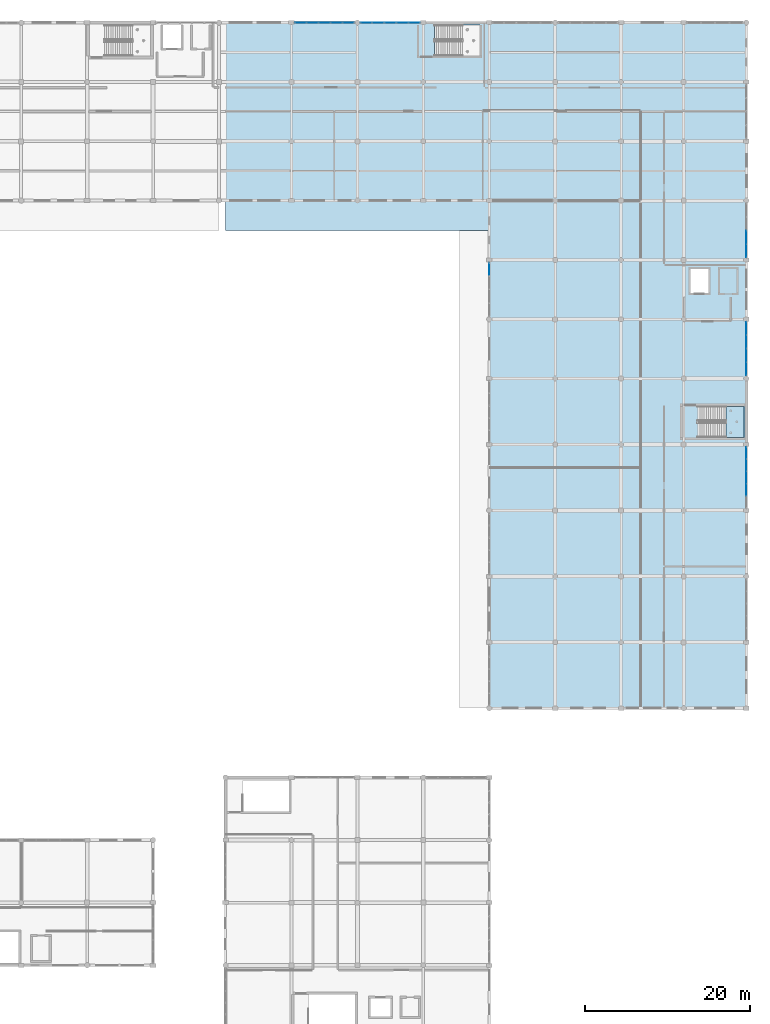
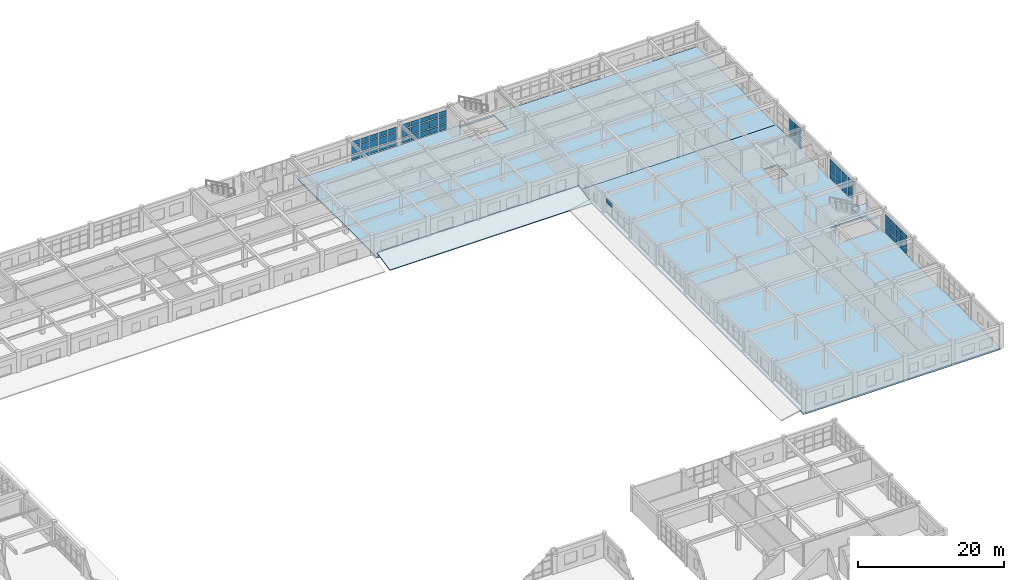
# One storey, part 99 of 121: 61 plates, 4 slabs, 7 elements without a shape of their own.
"""IFC4 building model written with IfcOpenShell, lengths in metres."""

import ifcopenshell
import ifcopenshell.guid

model = None  # the IFC model being written
_history = None  # IfcOwnerHistory: only IFC2X3 demands one
_inside = {}  # id of a spatial element -> (the spatial element, [elements in it])
_under = {}  # id of a project, library or spatial element -> (it, [spatial elements below it])
_declared = {}  # id of a project -> (the project, [libraries it declares])
_typed = {}  # id of a type object -> (the type object, [elements of that type])
_made_of = {}  # id of a material, layer set ... -> (it, [elements and type objects made of it])


def new_model(schema):
    """Start an empty IFC model of exactly this schema.

    Asked for "IFC4X3", IfcOpenShell would pick the latest addendum, in which some entities
    have other attributes; the version numbers below select the first issue.
    IFC2X3 requires an IfcOwnerHistory on every rooted entity: one is made here for all.
    """
    global model, _history
    if schema == "IFC4X3":
        model = ifcopenshell.file(schema_version=(4, 3, 0, 0))
    else:
        model = ifcopenshell.file(schema=schema)
    _inside.clear()
    _under.clear()
    _declared.clear()
    _typed.clear()
    _made_of.clear()
    _history = None
    if model.schema == "IFC2X3":
        org = make("IfcOrganization", Name="unknown")
        user = make(
            "IfcPersonAndOrganization",
            ThePerson=make("IfcPerson", FamilyName="unknown"),
            TheOrganization=org,
        )
        app = make(
            "IfcApplication",
            ApplicationDeveloper=org,
            Version="unknown",
            ApplicationFullName="unknown",
            ApplicationIdentifier="unknown",
        )
        _history = make(
            "IfcOwnerHistory",
            OwningUser=user,
            OwningApplication=app,
            ChangeAction="ADDED",
            CreationDate=0,
        )
    return model


def make(cls, **values):
    """One entity of the class cls with the attributes given. An attribute that is None is left unset."""
    return model.create_entity(
        cls, **{name: value for name, value in values.items() if value is not None}
    )


def rooted(cls, **values):
    """An entity with a GlobalId (a new one), such as an element, a storey or a relation."""
    return make(cls, GlobalId=ifcopenshell.guid.new(), OwnerHistory=_history, **values)


def si_unit(unit_type, name, prefix=None):
    """IfcSIUnit, for example si_unit("LENGTHUNIT", "METRE", prefix="MILLI")."""
    return make("IfcSIUnit", UnitType=unit_type, Prefix=prefix, Name=name)


def assignment(units):
    """IfcUnitAssignment: the units of a project."""
    return None if units is None else make("IfcUnitAssignment", Units=units)


def point(xyz):
    """IfcCartesianPoint."""
    return None if xyz is None else make("IfcCartesianPoint", Coordinates=xyz)


def direction(xyz):
    """IfcDirection."""
    return None if xyz is None else make("IfcDirection", DirectionRatios=xyz)


def frame(location, z_axis=None, x_axis=None):
    """IfcAxis2Placement3D, a coordinate frame: its origin and axes. An axis left out is left unset."""
    return make(
        "IfcAxis2Placement3D",
        Location=point(location),
        Axis=direction(z_axis),
        RefDirection=direction(x_axis),
    )


def frame_2d(location, x_axis=None):
    """IfcAxis2Placement2D, a coordinate frame in the plane: its origin and x axis."""
    return make(
        "IfcAxis2Placement2D", Location=point(location), RefDirection=direction(x_axis)
    )


def origin():
    """The frame at (0, 0, 0) with its axes left unset."""
    return frame((0.0, 0.0, 0.0))


def origin_2d():
    """The frame at (0, 0) in the plane with its x axis left unset."""
    return frame_2d((0.0, 0.0))


def place(relative_to, where):
    """IfcLocalPlacement: puts the frame where relative to a parent placement (None: the world)."""
    return make(
        "IfcLocalPlacement", PlacementRelTo=relative_to, RelativePlacement=where
    )


def context(
    kind, dimensions, precision=None, world=None, true_north=None, identifier=None
):
    """IfcGeometricRepresentationContext, for example the 3D "Model" context."""
    return make(
        "IfcGeometricRepresentationContext",
        ContextIdentifier=identifier,
        ContextType=kind,
        CoordinateSpaceDimension=dimensions,
        Precision=precision,
        WorldCoordinateSystem=world,
        TrueNorth=true_north,
    )


def subcontext(parent, identifier, kind, view, scale=None):
    """IfcGeometricRepresentationSubContext, for example "Body" below "Model"."""
    return make(
        "IfcGeometricRepresentationSubContext",
        ContextIdentifier=identifier,
        ContextType=kind,
        ParentContext=parent,
        TargetScale=scale,
        TargetView=view,
    )


def project(units=None, contexts=None):
    """IfcProject with its units and contexts."""
    return rooted(
        "IfcProject",
        Name="project",
        RepresentationContexts=contexts,
        UnitsInContext=assignment(units),
    )


def spatial(cls, under=None, at=None, **own):
    """A site, building, storey or space (cls), placed at a placement, below another one or the project."""
    s = rooted(cls, ObjectPlacement=at, **own)
    if under is not None:
        _under.setdefault(under.id(), (under, []))[1].append(s)
    return s


def polyline(points):
    """IfcPolyline through the points."""
    return make("IfcPolyline", Points=[point(p) for p in points])


def profile(cls, at=None, kind="AREA", **sizes):
    """A parametric profile (cls). Its sizes go by their IFC names, for example OverallWidth=200.0."""
    return make(cls, ProfileType=kind, Position=at, **sizes)


def rectangle(**sizes):
    """IfcRectangleProfileDef."""
    return profile("IfcRectangleProfileDef", **sizes)


def outline(outer, holes=None, kind="AREA"):
    """IfcArbitraryClosedProfileDef: a profile drawn as a closed curve; with holes, ...WithVoids."""
    if holes is None:
        return make("IfcArbitraryClosedProfileDef", ProfileType=kind, OuterCurve=outer)
    return make(
        "IfcArbitraryProfileDefWithVoids",
        ProfileType=kind,
        OuterCurve=outer,
        InnerCurves=holes,
    )


def extrude(swept, where, along, depth):
    """IfcExtrudedAreaSolid: the profile swept, set in the frame where, extruded along a direction by depth."""
    return make(
        "IfcExtrudedAreaSolid",
        SweptArea=swept,
        Position=where,
        ExtrudedDirection=direction(along),
        Depth=depth,
    )


def shape(context_of_items, identifier, shape_type, items):
    """IfcShapeRepresentation: the items that make up one representation, for example the "Body"."""
    return make(
        "IfcShapeRepresentation",
        ContextOfItems=context_of_items,
        RepresentationIdentifier=identifier,
        RepresentationType=shape_type,
        Items=items,
    )


def material(Name=None, Category=None):
    """IfcMaterial."""
    return make("IfcMaterial", Name=Name, Category=Category)


def layer(
    of_material, thickness, ventilated=None, Name=None, Category=None, Priority=None
):
    """IfcMaterialLayer: one layer of a wall or slab, of a material (None: an air gap)."""
    return make(
        "IfcMaterialLayer",
        Material=of_material,
        LayerThickness=thickness,
        IsVentilated=ventilated,
        Name=Name,
        Category=Category,
        Priority=Priority,
    )


def layer_set(layers, Name=None):
    """IfcMaterialLayerSet."""
    return make("IfcMaterialLayerSet", MaterialLayers=layers, LayerSetName=Name)


def made_of(thing, what):
    """Note that an element or type object is made of a material, layer set ...; save() writes the relation."""
    if what is not None:
        _made_of.setdefault(what.id(), (what, []))[1].append(thing)
    return thing


def type_object(cls, material=None, **own):
    """A type object (cls), such as IfcWallType, which elements share."""
    return made_of(rooted(cls, **own), material)


def element(
    cls,
    number,
    at=None,
    inside=None,
    cuts=None,
    type_object=None,
    material=None,
    context=None,
    identifier="Body",
    shape_type=None,
    held_by="IfcProductDefinitionShape",
    body=None,
    shapes=None,
    **own,
):
    """One element of the class cls, such as IfcWall. Its Tag is "e" and its number.

    at: its placement. inside: the storey or other place that contains it. cuts: it is an
    opening in that element (IfcRelVoidsElement). A single representation is given by context,
    identifier, shape_type and body (its items); several are given by shapes. held_by: the class
    of the entity that holds the representations. save() writes the other relations.
    """
    e = rooted(cls, Tag="e%d" % number, ObjectPlacement=at, **own)
    if body is not None:
        shapes = [shape(context, identifier, shape_type, body)]
    if shapes is not None:
        e.Representation = make(held_by, Representations=shapes)
    if inside is not None:
        _inside.setdefault(inside.id(), (inside, []))[1].append(e)
    if cuts is not None:
        rooted(
            "IfcRelVoidsElement", RelatingBuildingElement=cuts, RelatedOpeningElement=e
        )
    if type_object is not None:
        _typed.setdefault(type_object.id(), (type_object, []))[1].append(e)
    return made_of(e, material)


def aggregate(whole, parts):
    """IfcRelAggregates: a whole, such as a stair, and the parts it consists of."""
    return rooted("IfcRelAggregates", RelatingObject=whole, RelatedObjects=parts)


def save(model, path):
    """Write the relations noted so far, then the file.

    IfcRelAggregates (storeys below a building ...), IfcRelContainedInSpatialStructure (elements
    in a storey), IfcRelDefinesByType, IfcRelAssociatesMaterial and IfcRelDeclares: one each for
    every whole, place, type object, material and project.
    """
    for whole, parts in _under.values():
        aggregate(whole, parts)
    for where, things in _inside.values():
        rooted(
            "IfcRelContainedInSpatialStructure",
            RelatedElements=things,
            RelatingStructure=where,
        )
    for kind, things in _typed.values():
        rooted("IfcRelDefinesByType", RelatedObjects=things, RelatingType=kind)
    for what, things in _made_of.values():
        rooted("IfcRelAssociatesMaterial", RelatedObjects=things, RelatingMaterial=what)
    for by, libraries in _declared.values():
        rooted("IfcRelDeclares", RelatingContext=by, RelatedDefinitions=libraries)
    model.write(path)


model = new_model("IFC4")

# Units and contexts
model_context = context("Model", 3, precision=1e-05, world=origin(), true_north=direction((0.0, 1.0)))
body_context = subcontext(model_context, "Body", "Model", "MODEL_VIEW")
ifc_project = project(units=[si_unit("LENGTHUNIT", "METRE"), si_unit("AREAUNIT", "SQUARE_METRE"), si_unit("VOLUMEUNIT", "CUBIC_METRE"), si_unit("PLANEANGLEUNIT", "RADIAN"), si_unit("MASSUNIT", "GRAM", prefix="KILO")], contexts=[model_context])

# Site, building, storey
site_placement = place(None, origin())
site = spatial("IfcSite", under=ifc_project, at=site_placement, CompositionType="ELEMENT")
building_placement = place(site_placement, origin())
building = spatial("IfcBuilding", under=site, at=building_placement, Name="Kharva Crest Polytechnic", CompositionType="ELEMENT")
storey_placement = place(building_placement, frame((0.0, 0.0, 13.199951171875)))
storey = spatial("IfcBuildingStorey", under=building, at=storey_placement, Name="L03", CompositionType="ELEMENT", Elevation=13.199951171875)

# Curtain wall, plate
ifc_material_1 = material(Name="Tempered insulated glass", Category="glass")
curtain_wall_type_1 = type_object("IfcCurtainWallType", Name="CW-SYS-COURT", PredefinedType="USERDEFINED", material=ifc_material_1)
curtain_wall_1_placement = place(storey_placement, origin())
curtain_wall_1 = element("IfcCurtainWall", 1, at=curtain_wall_1_placement, inside=storey, type_object=curtain_wall_type_1, Name="L03 Glazed Curtain Wall CW-145", ObjectType="CURTAIN WALL", PredefinedType="USERDEFINED")
ifc_layer_1 = layer(ifc_material_1, 0.02392578125, Name="Tempered insulated glass")
ifc_layer_set_1 = layer_set([ifc_layer_1], Name="Tempered insulated glass")
plate_type_1 = type_object("IfcPlateType", Name="CWP-GLZ-24", PredefinedType="CURTAIN_PANEL", material=ifc_layer_set_1)
plate_1_placement = place(storey_placement, frame((152.800048828125, 92.097412109375, 2.510009765625), z_axis=(0.0, 0.0, 1.0), x_axis=(0.0, -1.0, 0.0)))
plate_1 = element("IfcPlate", 2, at=plate_1_placement, type_object=plate_type_1, Name="CW-145 panel 1.3", PredefinedType="CURTAIN_PANEL", context=body_context, shape_type="SweptSolid", body=[
    extrude(rectangle(XDim=1.534912109375, YDim=0.02392578125, at=origin_2d()), origin(), (0.0, 0.0, 1.0), 0.7099609375),
])
aggregate(curtain_wall_1, [plate_1])

# Curtain wall, plates
curtain_wall_2_placement = place(storey_placement, origin())
curtain_wall_2 = element("IfcCurtainWall", 3, at=curtain_wall_2_placement, inside=storey, type_object=curtain_wall_type_1, Name="L03 Glazed Curtain Wall CW-150", ObjectType="CURTAIN WALL", PredefinedType="USERDEFINED")
plate_2_placement = place(storey_placement, frame((184.0, 65.302001953125, 0.119873046875), z_axis=(0.0, 0.0, 1.0), x_axis=(0.0, 1.0, 0.0)))
plate_2 = element("IfcPlate", 4, at=plate_2_placement, type_object=plate_type_1, Name="CW-150 panel 2.1", PredefinedType="CURTAIN_PANEL", context=body_context, shape_type="SweptSolid", body=[
    extrude(rectangle(XDim=1.41796875, YDim=0.02392578125, at=origin_2d()), origin(), (0.0, 0.0, 1.0), 0.8701171875),
])
plate_3_placement = place(storey_placement, frame((184.0, 65.302001953125, 1.10986328125), z_axis=(0.0, 0.0, 1.0), x_axis=(0.0, 1.0, 0.0)))
plate_3 = element("IfcPlate", 5, at=plate_3_placement, type_object=plate_type_1, Name="CW-150 panel 2.2", PredefinedType="CURTAIN_PANEL", context=body_context, shape_type="SweptSolid", body=[
    extrude(rectangle(XDim=1.41796875, YDim=0.02392578125, at=origin_2d()), origin(), (0.0, 0.0, 1.0), 1.280029296875),
])
plate_4_placement = place(storey_placement, frame((184.0, 65.302001953125, 2.510009765625), z_axis=(0.0, 0.0, 1.0), x_axis=(0.0, 1.0, 0.0)))
plate_4 = element("IfcPlate", 6, at=plate_4_placement, type_object=plate_type_1, Name="CW-150 panel 2.3", PredefinedType="CURTAIN_PANEL", context=body_context, shape_type="SweptSolid", body=[
    extrude(rectangle(XDim=1.41796875, YDim=0.02392578125, at=origin_2d()), origin(), (0.0, 0.0, 1.0), 0.75),
])
plate_5_placement = place(storey_placement, frame((184.0, 66.800048828125, 0.119873046875), z_axis=(0.0, 0.0, 1.0), x_axis=(0.0, 1.0, 0.0)))
plate_5 = element("IfcPlate", 7, at=plate_5_placement, type_object=plate_type_1, Name="CW-150 panel 3.1", PredefinedType="CURTAIN_PANEL", context=body_context, shape_type="SweptSolid", body=[
    extrude(rectangle(XDim=1.41796875, YDim=0.02392578125, at=origin_2d()), origin(), (0.0, 0.0, 1.0), 0.8701171875),
])
plate_6_placement = place(storey_placement, frame((184.0, 66.800048828125, 1.10986328125), z_axis=(0.0, 0.0, 1.0), x_axis=(0.0, 1.0, 0.0)))
plate_6 = element("IfcPlate", 8, at=plate_6_placement, type_object=plate_type_1, Name="CW-150 panel 3.2", PredefinedType="CURTAIN_PANEL", context=body_context, shape_type="SweptSolid", body=[
    extrude(rectangle(XDim=1.41796875, YDim=0.02392578125, at=origin_2d()), origin(), (0.0, 0.0, 1.0), 1.280029296875),
])
plate_7_placement = place(storey_placement, frame((184.0, 66.800048828125, 2.510009765625), z_axis=(0.0, 0.0, 1.0), x_axis=(0.0, 1.0, 0.0)))
plate_7 = element("IfcPlate", 9, at=plate_7_placement, type_object=plate_type_1, Name="CW-150 panel 3.3", PredefinedType="CURTAIN_PANEL", context=body_context, shape_type="SweptSolid", body=[
    extrude(rectangle(XDim=1.41796875, YDim=0.02392578125, at=origin_2d()), origin(), (0.0, 0.0, 1.0), 0.75),
])
plate_8_placement = place(storey_placement, frame((184.0, 68.298095703125, 0.119873046875), z_axis=(0.0, 0.0, 1.0), x_axis=(0.0, 1.0, 0.0)))
plate_8 = element("IfcPlate", 10, at=plate_8_placement, type_object=plate_type_1, Name="CW-150 panel 4.1", PredefinedType="CURTAIN_PANEL", context=body_context, shape_type="SweptSolid", body=[
    extrude(rectangle(XDim=1.41796875, YDim=0.02392578125, at=origin_2d()), origin(), (0.0, 0.0, 1.0), 0.8701171875),
])
plate_9_placement = place(storey_placement, frame((184.0, 68.298095703125, 1.10986328125), z_axis=(0.0, 0.0, 1.0), x_axis=(0.0, 1.0, 0.0)))
plate_9 = element("IfcPlate", 11, at=plate_9_placement, type_object=plate_type_1, Name="CW-150 panel 4.2", PredefinedType="CURTAIN_PANEL", context=body_context, shape_type="SweptSolid", body=[
    extrude(rectangle(XDim=1.41796875, YDim=0.02392578125, at=origin_2d()), origin(), (0.0, 0.0, 1.0), 1.280029296875),
])
plate_10_placement = place(storey_placement, frame((184.0, 68.298095703125, 2.510009765625), z_axis=(0.0, 0.0, 1.0), x_axis=(0.0, 1.0, 0.0)))
plate_10 = element("IfcPlate", 12, at=plate_10_placement, type_object=plate_type_1, Name="CW-150 panel 4.3", PredefinedType="CURTAIN_PANEL", context=body_context, shape_type="SweptSolid", body=[
    extrude(rectangle(XDim=1.41796875, YDim=0.02392578125, at=origin_2d()), origin(), (0.0, 0.0, 1.0), 0.75),
])
plate_11_placement = place(storey_placement, frame((184.0, 69.77587890625, 0.119873046875), z_axis=(0.0, 0.0, 1.0), x_axis=(0.0, 1.0, 0.0)))
plate_11 = element("IfcPlate", 13, at=plate_11_placement, type_object=plate_type_1, Name="CW-150 panel 5.1", PredefinedType="CURTAIN_PANEL", context=body_context, shape_type="SweptSolid", body=[
    extrude(rectangle(XDim=1.3779296875, YDim=0.02392578125, at=origin_2d()), origin(), (0.0, 0.0, 1.0), 0.8701171875),
])
plate_12_placement = place(storey_placement, frame((184.0, 69.77587890625, 1.10986328125), z_axis=(0.0, 0.0, 1.0), x_axis=(0.0, 1.0, 0.0)))
plate_12 = element("IfcPlate", 14, at=plate_12_placement, type_object=plate_type_1, Name="CW-150 panel 5.2", PredefinedType="CURTAIN_PANEL", context=body_context, shape_type="SweptSolid", body=[
    extrude(rectangle(XDim=1.3779296875, YDim=0.02392578125, at=origin_2d()), origin(), (0.0, 0.0, 1.0), 1.280029296875),
])
plate_13_placement = place(storey_placement, frame((184.0, 69.77587890625, 2.510009765625), z_axis=(0.0, 0.0, 1.0), x_axis=(0.0, 1.0, 0.0)))
plate_13 = element("IfcPlate", 15, at=plate_13_placement, type_object=plate_type_1, Name="CW-150 panel 5.3", PredefinedType="CURTAIN_PANEL", context=body_context, shape_type="SweptSolid", body=[
    extrude(rectangle(XDim=1.3779296875, YDim=0.02392578125, at=origin_2d()), origin(), (0.0, 0.0, 1.0), 0.75),
])
aggregate(curtain_wall_2, [plate_2, plate_3, plate_4, plate_5, plate_6, plate_7, plate_8, plate_9, plate_10, plate_11, plate_12, plate_13])

curtain_wall_3_placement = place(storey_placement, origin())
curtain_wall_3 = element("IfcCurtainWall", 16, at=curtain_wall_3_placement, inside=storey, type_object=curtain_wall_type_1, Name="L03 Glazed Curtain Wall CW-151", ObjectType="CURTAIN WALL", PredefinedType="USERDEFINED")
plate_14_placement = place(storey_placement, frame((184.0, 79.972412109375, 0.119873046875), z_axis=(0.0, 0.0, 1.0), x_axis=(0.0, 1.0, 0.0)))
plate_14 = element("IfcPlate", 17, at=plate_14_placement, type_object=plate_type_1, Name="CW-151 panel 1.1", PredefinedType="CURTAIN_PANEL", context=body_context, shape_type="SweptSolid", body=[
    extrude(rectangle(XDim=1.534912109375, YDim=0.02392578125, at=origin_2d()), origin(), (0.0, 0.0, 1.0), 0.8701171875),
])
plate_15_placement = place(storey_placement, frame((184.0, 79.972412109375, 1.10986328125), z_axis=(0.0, 0.0, 1.0), x_axis=(0.0, 1.0, 0.0)))
plate_15 = element("IfcPlate", 18, at=plate_15_placement, type_object=plate_type_1, Name="CW-151 panel 1.2", PredefinedType="CURTAIN_PANEL", context=body_context, shape_type="SweptSolid", body=[
    extrude(rectangle(XDim=1.534912109375, YDim=0.02392578125, at=origin_2d()), origin(), (0.0, 0.0, 1.0), 1.280029296875),
])
plate_16_placement = place(storey_placement, frame((184.0, 79.972412109375, 2.510009765625), z_axis=(0.0, 0.0, 1.0), x_axis=(0.0, 1.0, 0.0)))
plate_16 = element("IfcPlate", 19, at=plate_16_placement, type_object=plate_type_1, Name="CW-151 panel 1.3", PredefinedType="CURTAIN_PANEL", context=body_context, shape_type="SweptSolid", body=[
    extrude(rectangle(XDim=1.534912109375, YDim=0.02392578125, at=origin_2d()), origin(), (0.0, 0.0, 1.0), 0.81005859375),
])
plate_17_placement = place(storey_placement, frame((184.0, 81.607421875, 0.119873046875), z_axis=(0.0, 0.0, 1.0), x_axis=(0.0, 1.0, 0.0)))
plate_17 = element("IfcPlate", 20, at=plate_17_placement, type_object=plate_type_1, Name="CW-151 panel 2.1", PredefinedType="CURTAIN_PANEL", context=body_context, shape_type="SweptSolid", body=[
    extrude(rectangle(XDim=1.574951171875, YDim=0.02392578125, at=origin_2d()), origin(), (0.0, 0.0, 1.0), 0.8701171875),
])
plate_18_placement = place(storey_placement, frame((184.0, 81.607421875, 1.10986328125), z_axis=(0.0, 0.0, 1.0), x_axis=(0.0, 1.0, 0.0)))
plate_18 = element("IfcPlate", 21, at=plate_18_placement, type_object=plate_type_1, Name="CW-151 panel 2.2", PredefinedType="CURTAIN_PANEL", context=body_context, shape_type="SweptSolid", body=[
    extrude(rectangle(XDim=1.574951171875, YDim=0.02392578125, at=origin_2d()), origin(), (0.0, 0.0, 1.0), 1.280029296875),
])
plate_19_placement = place(storey_placement, frame((184.0, 81.607421875, 2.510009765625), z_axis=(0.0, 0.0, 1.0), x_axis=(0.0, 1.0, 0.0)))
plate_19 = element("IfcPlate", 22, at=plate_19_placement, type_object=plate_type_1, Name="CW-151 panel 2.3", PredefinedType="CURTAIN_PANEL", context=body_context, shape_type="SweptSolid", body=[
    extrude(rectangle(XDim=1.574951171875, YDim=0.02392578125, at=origin_2d()), origin(), (0.0, 0.0, 1.0), 0.81005859375),
])
plate_20_placement = place(storey_placement, frame((184.0, 83.262451171875, 0.119873046875), z_axis=(0.0, 0.0, 1.0), x_axis=(0.0, 1.0, 0.0)))
plate_20 = element("IfcPlate", 23, at=plate_20_placement, type_object=plate_type_1, Name="CW-151 panel 3.1", PredefinedType="CURTAIN_PANEL", context=body_context, shape_type="SweptSolid", body=[
    extrude(rectangle(XDim=1.574951171875, YDim=0.02392578125, at=origin_2d()), origin(), (0.0, 0.0, 1.0), 0.8701171875),
])
plate_21_placement = place(storey_placement, frame((184.0, 83.262451171875, 1.10986328125), z_axis=(0.0, 0.0, 1.0), x_axis=(0.0, 1.0, 0.0)))
plate_21 = element("IfcPlate", 24, at=plate_21_placement, type_object=plate_type_1, Name="CW-151 panel 3.2", PredefinedType="CURTAIN_PANEL", context=body_context, shape_type="SweptSolid", body=[
    extrude(rectangle(XDim=1.574951171875, YDim=0.02392578125, at=origin_2d()), origin(), (0.0, 0.0, 1.0), 1.280029296875),
])
plate_22_placement = place(storey_placement, frame((184.0, 83.262451171875, 2.510009765625), z_axis=(0.0, 0.0, 1.0), x_axis=(0.0, 1.0, 0.0)))
plate_22 = element("IfcPlate", 25, at=plate_22_placement, type_object=plate_type_1, Name="CW-151 panel 3.3", PredefinedType="CURTAIN_PANEL", context=body_context, shape_type="SweptSolid", body=[
    extrude(rectangle(XDim=1.574951171875, YDim=0.02392578125, at=origin_2d()), origin(), (0.0, 0.0, 1.0), 0.81005859375),
])
plate_23_placement = place(storey_placement, frame((184.0, 84.8974609375, 0.119873046875), z_axis=(0.0, 0.0, 1.0), x_axis=(0.0, 1.0, 0.0)))
plate_23 = element("IfcPlate", 26, at=plate_23_placement, type_object=plate_type_1, Name="CW-151 panel 4.1", PredefinedType="CURTAIN_PANEL", context=body_context, shape_type="SweptSolid", body=[
    extrude(rectangle(XDim=1.534912109375, YDim=0.02392578125, at=origin_2d()), origin(), (0.0, 0.0, 1.0), 0.8701171875),
])
plate_24_placement = place(storey_placement, frame((184.0, 84.8974609375, 1.10986328125), z_axis=(0.0, 0.0, 1.0), x_axis=(0.0, 1.0, 0.0)))
plate_24 = element("IfcPlate", 27, at=plate_24_placement, type_object=plate_type_1, Name="CW-151 panel 4.2", PredefinedType="CURTAIN_PANEL", context=body_context, shape_type="SweptSolid", body=[
    extrude(rectangle(XDim=1.534912109375, YDim=0.02392578125, at=origin_2d()), origin(), (0.0, 0.0, 1.0), 1.280029296875),
])
plate_25_placement = place(storey_placement, frame((184.0, 84.8974609375, 2.510009765625), z_axis=(0.0, 0.0, 1.0), x_axis=(0.0, 1.0, 0.0)))
plate_25 = element("IfcPlate", 28, at=plate_25_placement, type_object=plate_type_1, Name="CW-151 panel 4.3", PredefinedType="CURTAIN_PANEL", context=body_context, shape_type="SweptSolid", body=[
    extrude(rectangle(XDim=1.534912109375, YDim=0.02392578125, at=origin_2d()), origin(), (0.0, 0.0, 1.0), 0.81005859375),
])
aggregate(curtain_wall_3, [plate_14, plate_15, plate_16, plate_17, plate_18, plate_19, plate_20, plate_21, plate_22, plate_23, plate_24, plate_25])

curtain_wall_4_placement = place(storey_placement, origin())
curtain_wall_4 = element("IfcCurtainWall", 29, at=curtain_wall_4_placement, inside=storey, type_object=curtain_wall_type_1, Name="L03 Glazed Curtain Wall CW-152", ObjectType="CURTAIN WALL", PredefinedType="USERDEFINED")
plate_26_placement = place(storey_placement, frame((184.0, 94.302490234375, 0.119873046875), z_axis=(0.0, 0.0, 1.0), x_axis=(0.0, 1.0, 0.0)))
plate_26 = element("IfcPlate", 30, at=plate_26_placement, type_object=plate_type_1, Name="CW-152 panel 1.1", PredefinedType="CURTAIN_PANEL", context=body_context, shape_type="SweptSolid", body=[
    extrude(rectangle(XDim=1.534912109375, YDim=0.02392578125, at=origin_2d()), origin(), (0.0, 0.0, 1.0), 0.8701171875),
])
plate_27_placement = place(storey_placement, frame((184.0, 94.302490234375, 1.10986328125), z_axis=(0.0, 0.0, 1.0), x_axis=(0.0, 1.0, 0.0)))
plate_27 = element("IfcPlate", 31, at=plate_27_placement, type_object=plate_type_1, Name="CW-152 panel 1.2", PredefinedType="CURTAIN_PANEL", context=body_context, shape_type="SweptSolid", body=[
    extrude(rectangle(XDim=1.534912109375, YDim=0.02392578125, at=origin_2d()), origin(), (0.0, 0.0, 1.0), 1.280029296875),
])
plate_28_placement = place(storey_placement, frame((184.0, 94.302490234375, 2.51025390625), z_axis=(0.0, 0.0, 1.0), x_axis=(0.0, 1.0, 0.0)))
plate_28 = element("IfcPlate", 32, at=plate_28_placement, type_object=plate_type_1, Name="CW-152 panel 1.3", PredefinedType="CURTAIN_PANEL", context=body_context, shape_type="SweptSolid", body=[
    extrude(rectangle(XDim=1.534912109375, YDim=0.02392578125, at=origin_2d()), origin(), (0.0, 0.0, 1.0), 0.889892578125),
])
plate_29_placement = place(storey_placement, frame((184.0, 95.9375, 0.119873046875), z_axis=(0.0, 0.0, 1.0), x_axis=(0.0, 1.0, 0.0)))
plate_29 = element("IfcPlate", 33, at=plate_29_placement, type_object=plate_type_1, Name="CW-152 panel 2.1", PredefinedType="CURTAIN_PANEL", context=body_context, shape_type="SweptSolid", body=[
    extrude(rectangle(XDim=1.574951171875, YDim=0.02392578125, at=origin_2d()), origin(), (0.0, 0.0, 1.0), 0.8701171875),
])
plate_30_placement = place(storey_placement, frame((184.0, 95.9375, 1.10986328125), z_axis=(0.0, 0.0, 1.0), x_axis=(0.0, 1.0, 0.0)))
plate_30 = element("IfcPlate", 34, at=plate_30_placement, type_object=plate_type_1, Name="CW-152 panel 2.2", PredefinedType="CURTAIN_PANEL", context=body_context, shape_type="SweptSolid", body=[
    extrude(rectangle(XDim=1.574951171875, YDim=0.02392578125, at=origin_2d()), origin(), (0.0, 0.0, 1.0), 1.280029296875),
])
plate_31_placement = place(storey_placement, frame((184.0, 95.9375, 2.51025390625), z_axis=(0.0, 0.0, 1.0), x_axis=(0.0, 1.0, 0.0)))
plate_31 = element("IfcPlate", 35, at=plate_31_placement, type_object=plate_type_1, Name="CW-152 panel 2.3", PredefinedType="CURTAIN_PANEL", context=body_context, shape_type="SweptSolid", body=[
    extrude(rectangle(XDim=1.574951171875, YDim=0.02392578125, at=origin_2d()), origin(), (0.0, 0.0, 1.0), 0.889892578125),
])
aggregate(curtain_wall_4, [plate_26, plate_27, plate_28, plate_29, plate_30, plate_31])

curtain_wall_type_2 = type_object("IfcCurtainWallType", Name="CW-SYS-LIBRARY", PredefinedType="USERDEFINED", material=ifc_material_1)
curtain_wall_5_placement = place(storey_placement, origin())
curtain_wall_5 = element("IfcCurtainWall", 36, at=curtain_wall_5_placement, inside=storey, type_object=curtain_wall_type_2, Name="L03 Glazed Curtain Wall CW-157", ObjectType="CURTAIN WALL", PredefinedType="USERDEFINED")
ifc_layer_2 = layer(ifc_material_1, 0.031982421875, Name="Tempered insulated glass")
ifc_layer_set_2 = layer_set([ifc_layer_2], Name="Tempered insulated glass")
plate_type_2 = type_object("IfcPlateType", Name="CWP-GLZ-32", PredefinedType="CURTAIN_PANEL", material=ifc_layer_set_2)
plate_32_placement = place(storey_placement, frame((143.68798828125, 122.0, 0.14013671875), z_axis=(0.0, 0.0, 1.0), x_axis=(-1.0, 0.0, 0.0)))
plate_32 = element("IfcPlate", 37, at=plate_32_placement, type_object=plate_type_2, Name="CW-157 panel 1.1", PredefinedType="CURTAIN_PANEL", context=body_context, shape_type="SweptSolid", body=[
    extrude(rectangle(XDim=1.31396484375, YDim=0.031982421875, at=origin_2d()), origin(), (0.0, 0.0, 1.0), 0.840087890625),
])
plate_33_placement = place(storey_placement, frame((143.68798828125, 122.0, 1.1201171875), z_axis=(0.0, 0.0, 1.0), x_axis=(-1.0, 0.0, 0.0)))
plate_33 = element("IfcPlate", 38, at=plate_33_placement, type_object=plate_type_2, Name="CW-157 panel 1.2", PredefinedType="CURTAIN_PANEL", context=body_context, shape_type="SweptSolid", body=[
    extrude(rectangle(XDim=1.31396484375, YDim=0.031982421875, at=origin_2d()), origin(), (0.0, 0.0, 1.0), 1.260009765625),
])
plate_34_placement = place(storey_placement, frame((143.68798828125, 122.0, 2.52001953125), z_axis=(0.0, 0.0, 1.0), x_axis=(-1.0, 0.0, 0.0)))
plate_34 = element("IfcPlate", 39, at=plate_34_placement, type_object=plate_type_2, Name="CW-157 panel 1.3", PredefinedType="CURTAIN_PANEL", context=body_context, shape_type="SweptSolid", body=[
    extrude(rectangle(XDim=1.31396484375, YDim=0.031982421875, at=origin_2d()), origin(), (0.0, 0.0, 1.0), 0.75),
])
plate_35_placement = place(storey_placement, frame((142.2490234375, 122.0, 0.14013671875), z_axis=(0.0, 0.0, 1.0), x_axis=(-1.0, 0.0, 0.0)))
plate_35 = element("IfcPlate", 40, at=plate_35_placement, type_object=plate_type_2, Name="CW-157 panel 2.1", PredefinedType="CURTAIN_PANEL", context=body_context, shape_type="SweptSolid", body=[
    extrude(rectangle(XDim=1.364013671875, YDim=0.031982421875, at=origin_2d()), origin(), (0.0, 0.0, 1.0), 0.840087890625),
])
plate_36_placement = place(storey_placement, frame((142.2490234375, 122.0, 1.1201171875), z_axis=(0.0, 0.0, 1.0), x_axis=(-1.0, 0.0, 0.0)))
plate_36 = element("IfcPlate", 41, at=plate_36_placement, type_object=plate_type_2, Name="CW-157 panel 2.2", PredefinedType="CURTAIN_PANEL", context=body_context, shape_type="SweptSolid", body=[
    extrude(rectangle(XDim=1.364013671875, YDim=0.031982421875, at=origin_2d()), origin(), (0.0, 0.0, 1.0), 1.260009765625),
])
plate_37_placement = place(storey_placement, frame((142.2490234375, 122.0, 2.52001953125), z_axis=(0.0, 0.0, 1.0), x_axis=(-1.0, 0.0, 0.0)))
plate_37 = element("IfcPlate", 42, at=plate_37_placement, type_object=plate_type_2, Name="CW-157 panel 2.3", PredefinedType="CURTAIN_PANEL", context=body_context, shape_type="SweptSolid", body=[
    extrude(rectangle(XDim=1.364013671875, YDim=0.031982421875, at=origin_2d()), origin(), (0.0, 0.0, 1.0), 0.75),
])
plate_38_placement = place(storey_placement, frame((140.784912109375, 122.0, 0.14013671875), z_axis=(0.0, 0.0, 1.0), x_axis=(-1.0, 0.0, 0.0)))
plate_38 = element("IfcPlate", 43, at=plate_38_placement, type_object=plate_type_2, Name="CW-157 panel 3.1", PredefinedType="CURTAIN_PANEL", context=body_context, shape_type="SweptSolid", body=[
    extrude(rectangle(XDim=1.364013671875, YDim=0.031982421875, at=origin_2d()), origin(), (0.0, 0.0, 1.0), 0.840087890625),
])
plate_39_placement = place(storey_placement, frame((140.784912109375, 122.0, 1.1201171875), z_axis=(0.0, 0.0, 1.0), x_axis=(-1.0, 0.0, 0.0)))
plate_39 = element("IfcPlate", 44, at=plate_39_placement, type_object=plate_type_2, Name="CW-157 panel 3.2", PredefinedType="CURTAIN_PANEL", context=body_context, shape_type="SweptSolid", body=[
    extrude(rectangle(XDim=1.364013671875, YDim=0.031982421875, at=origin_2d()), origin(), (0.0, 0.0, 1.0), 1.260009765625),
])
plate_40_placement = place(storey_placement, frame((140.784912109375, 122.0, 2.52001953125), z_axis=(0.0, 0.0, 1.0), x_axis=(-1.0, 0.0, 0.0)))
plate_40 = element("IfcPlate", 45, at=plate_40_placement, type_object=plate_type_2, Name="CW-157 panel 3.3", PredefinedType="CURTAIN_PANEL", context=body_context, shape_type="SweptSolid", body=[
    extrude(rectangle(XDim=1.364013671875, YDim=0.031982421875, at=origin_2d()), origin(), (0.0, 0.0, 1.0), 0.75),
])
plate_41_placement = place(storey_placement, frame((139.321044921875, 122.0, 0.14013671875), z_axis=(0.0, 0.0, 1.0), x_axis=(-1.0, 0.0, 0.0)))
plate_41 = element("IfcPlate", 46, at=plate_41_placement, type_object=plate_type_2, Name="CW-157 panel 4.1", PredefinedType="CURTAIN_PANEL", context=body_context, shape_type="SweptSolid", body=[
    extrude(rectangle(XDim=1.364013671875, YDim=0.031982421875, at=origin_2d()), origin(), (0.0, 0.0, 1.0), 0.840087890625),
])
plate_42_placement = place(storey_placement, frame((139.321044921875, 122.0, 1.1201171875), z_axis=(0.0, 0.0, 1.0), x_axis=(-1.0, 0.0, 0.0)))
plate_42 = element("IfcPlate", 47, at=plate_42_placement, type_object=plate_type_2, Name="CW-157 panel 4.2", PredefinedType="CURTAIN_PANEL", context=body_context, shape_type="SweptSolid", body=[
    extrude(rectangle(XDim=1.364013671875, YDim=0.031982421875, at=origin_2d()), origin(), (0.0, 0.0, 1.0), 1.260009765625),
])
plate_43_placement = place(storey_placement, frame((139.321044921875, 122.0, 2.52001953125), z_axis=(0.0, 0.0, 1.0), x_axis=(-1.0, 0.0, 0.0)))
plate_43 = element("IfcPlate", 48, at=plate_43_placement, type_object=plate_type_2, Name="CW-157 panel 4.3", PredefinedType="CURTAIN_PANEL", context=body_context, shape_type="SweptSolid", body=[
    extrude(rectangle(XDim=1.364013671875, YDim=0.031982421875, at=origin_2d()), origin(), (0.0, 0.0, 1.0), 0.75),
])
plate_44_placement = place(storey_placement, frame((137.882080078125, 122.0, 0.14013671875), z_axis=(0.0, 0.0, 1.0), x_axis=(-1.0, 0.0, 0.0)))
plate_44 = element("IfcPlate", 49, at=plate_44_placement, type_object=plate_type_2, Name="CW-157 panel 5.1", PredefinedType="CURTAIN_PANEL", context=body_context, shape_type="SweptSolid", body=[
    extrude(rectangle(XDim=1.31396484375, YDim=0.031982421875, at=origin_2d()), origin(), (0.0, 0.0, 1.0), 0.840087890625),
])
plate_45_placement = place(storey_placement, frame((137.882080078125, 122.0, 1.1201171875), z_axis=(0.0, 0.0, 1.0), x_axis=(-1.0, 0.0, 0.0)))
plate_45 = element("IfcPlate", 50, at=plate_45_placement, type_object=plate_type_2, Name="CW-157 panel 5.2", PredefinedType="CURTAIN_PANEL", context=body_context, shape_type="SweptSolid", body=[
    extrude(rectangle(XDim=1.31396484375, YDim=0.031982421875, at=origin_2d()), origin(), (0.0, 0.0, 1.0), 1.260009765625),
])
plate_46_placement = place(storey_placement, frame((137.882080078125, 122.0, 2.52001953125), z_axis=(0.0, 0.0, 1.0), x_axis=(-1.0, 0.0, 0.0)))
plate_46 = element("IfcPlate", 51, at=plate_46_placement, type_object=plate_type_2, Name="CW-157 panel 5.3", PredefinedType="CURTAIN_PANEL", context=body_context, shape_type="SweptSolid", body=[
    extrude(rectangle(XDim=1.31396484375, YDim=0.031982421875, at=origin_2d()), origin(), (0.0, 0.0, 1.0), 0.75),
])
aggregate(curtain_wall_5, [plate_32, plate_33, plate_34, plate_35, plate_36, plate_37, plate_38, plate_39, plate_40, plate_41, plate_42, plate_43, plate_44, plate_45, plate_46])

curtain_wall_6_placement = place(storey_placement, origin())
curtain_wall_6 = element("IfcCurtainWall", 52, at=curtain_wall_6_placement, inside=storey, type_object=curtain_wall_type_2, Name="L03 Glazed Curtain Wall CW-158", ObjectType="CURTAIN WALL", PredefinedType="USERDEFINED")
plate_47_placement = place(storey_placement, frame((135.717041015625, 122.0, 0.14013671875), z_axis=(0.0, 0.0, 1.0), x_axis=(-1.0, 0.0, 0.0)))
plate_47 = element("IfcPlate", 53, at=plate_47_placement, type_object=plate_type_2, Name="CW-158 panel 1.1", PredefinedType="CURTAIN_PANEL", context=body_context, shape_type="SweptSolid", body=[
    extrude(rectangle(XDim=1.31591796875, YDim=0.031982421875, at=origin_2d()), origin(), (0.0, 0.0, 1.0), 0.840087890625),
])
plate_48_placement = place(storey_placement, frame((135.717041015625, 122.0, 1.1201171875), z_axis=(0.0, 0.0, 1.0), x_axis=(-1.0, 0.0, 0.0)))
plate_48 = element("IfcPlate", 54, at=plate_48_placement, type_object=plate_type_2, Name="CW-158 panel 1.2", PredefinedType="CURTAIN_PANEL", context=body_context, shape_type="SweptSolid", body=[
    extrude(rectangle(XDim=1.31591796875, YDim=0.031982421875, at=origin_2d()), origin(), (0.0, 0.0, 1.0), 1.260009765625),
])
plate_49_placement = place(storey_placement, frame((135.717041015625, 122.0, 2.52001953125), z_axis=(0.0, 0.0, 1.0), x_axis=(-1.0, 0.0, 0.0)))
plate_49 = element("IfcPlate", 55, at=plate_49_placement, type_object=plate_type_2, Name="CW-158 panel 1.3", PredefinedType="CURTAIN_PANEL", context=body_context, shape_type="SweptSolid", body=[
    extrude(rectangle(XDim=1.31591796875, YDim=0.031982421875, at=origin_2d()), origin(), (0.0, 0.0, 1.0), 0.699951171875),
])
plate_50_placement = place(storey_placement, frame((134.27587890625, 122.0, 0.14013671875), z_axis=(0.0, 0.0, 1.0), x_axis=(-1.0, 0.0, 0.0)))
plate_50 = element("IfcPlate", 56, at=plate_50_placement, type_object=plate_type_2, Name="CW-158 panel 2.1", PredefinedType="CURTAIN_PANEL", context=body_context, shape_type="SweptSolid", body=[
    extrude(rectangle(XDim=1.365966796875, YDim=0.031982421875, at=origin_2d()), origin(), (0.0, 0.0, 1.0), 0.840087890625),
])
plate_51_placement = place(storey_placement, frame((134.27587890625, 122.0, 1.1201171875), z_axis=(0.0, 0.0, 1.0), x_axis=(-1.0, 0.0, 0.0)))
plate_51 = element("IfcPlate", 57, at=plate_51_placement, type_object=plate_type_2, Name="CW-158 panel 2.2", PredefinedType="CURTAIN_PANEL", context=body_context, shape_type="SweptSolid", body=[
    extrude(rectangle(XDim=1.365966796875, YDim=0.031982421875, at=origin_2d()), origin(), (0.0, 0.0, 1.0), 1.260009765625),
])
plate_52_placement = place(storey_placement, frame((134.27587890625, 122.0, 2.52001953125), z_axis=(0.0, 0.0, 1.0), x_axis=(-1.0, 0.0, 0.0)))
plate_52 = element("IfcPlate", 58, at=plate_52_placement, type_object=plate_type_2, Name="CW-158 panel 2.3", PredefinedType="CURTAIN_PANEL", context=body_context, shape_type="SweptSolid", body=[
    extrude(rectangle(XDim=1.365966796875, YDim=0.031982421875, at=origin_2d()), origin(), (0.0, 0.0, 1.0), 0.699951171875),
])
plate_53_placement = place(storey_placement, frame((132.81005859375, 122.0, 0.14013671875), z_axis=(0.0, 0.0, 1.0), x_axis=(-1.0, 0.0, 0.0)))
plate_53 = element("IfcPlate", 59, at=plate_53_placement, type_object=plate_type_2, Name="CW-158 panel 3.1", PredefinedType="CURTAIN_PANEL", context=body_context, shape_type="SweptSolid", body=[
    extrude(rectangle(XDim=1.365966796875, YDim=0.031982421875, at=origin_2d()), origin(), (0.0, 0.0, 1.0), 0.840087890625),
])
plate_54_placement = place(storey_placement, frame((132.81005859375, 122.0, 1.1201171875), z_axis=(0.0, 0.0, 1.0), x_axis=(-1.0, 0.0, 0.0)))
plate_54 = element("IfcPlate", 60, at=plate_54_placement, type_object=plate_type_2, Name="CW-158 panel 3.2", PredefinedType="CURTAIN_PANEL", context=body_context, shape_type="SweptSolid", body=[
    extrude(rectangle(XDim=1.365966796875, YDim=0.031982421875, at=origin_2d()), origin(), (0.0, 0.0, 1.0), 1.260009765625),
])
plate_55_placement = place(storey_placement, frame((132.81005859375, 122.0, 2.52001953125), z_axis=(0.0, 0.0, 1.0), x_axis=(-1.0, 0.0, 0.0)))
plate_55 = element("IfcPlate", 61, at=plate_55_placement, type_object=plate_type_2, Name="CW-158 panel 3.3", PredefinedType="CURTAIN_PANEL", context=body_context, shape_type="SweptSolid", body=[
    extrude(rectangle(XDim=1.365966796875, YDim=0.031982421875, at=origin_2d()), origin(), (0.0, 0.0, 1.0), 0.699951171875),
])
plate_56_placement = place(storey_placement, frame((131.343994140625, 122.0, 0.14013671875), z_axis=(0.0, 0.0, 1.0), x_axis=(-1.0, 0.0, 0.0)))
plate_56 = element("IfcPlate", 62, at=plate_56_placement, type_object=plate_type_2, Name="CW-158 panel 4.1", PredefinedType="CURTAIN_PANEL", context=body_context, shape_type="SweptSolid", body=[
    extrude(rectangle(XDim=1.365966796875, YDim=0.031982421875, at=origin_2d()), origin(), (0.0, 0.0, 1.0), 0.840087890625),
])
plate_57_placement = place(storey_placement, frame((131.343994140625, 122.0, 1.1201171875), z_axis=(0.0, 0.0, 1.0), x_axis=(-1.0, 0.0, 0.0)))
plate_57 = element("IfcPlate", 63, at=plate_57_placement, type_object=plate_type_2, Name="CW-158 panel 4.2", PredefinedType="CURTAIN_PANEL", context=body_context, shape_type="SweptSolid", body=[
    extrude(rectangle(XDim=1.365966796875, YDim=0.031982421875, at=origin_2d()), origin(), (0.0, 0.0, 1.0), 1.260009765625),
])
plate_58_placement = place(storey_placement, frame((131.343994140625, 122.0, 2.52001953125), z_axis=(0.0, 0.0, 1.0), x_axis=(-1.0, 0.0, 0.0)))
plate_58 = element("IfcPlate", 64, at=plate_58_placement, type_object=plate_type_2, Name="CW-158 panel 4.3", PredefinedType="CURTAIN_PANEL", context=body_context, shape_type="SweptSolid", body=[
    extrude(rectangle(XDim=1.365966796875, YDim=0.031982421875, at=origin_2d()), origin(), (0.0, 0.0, 1.0), 0.699951171875),
])
plate_59_placement = place(storey_placement, frame((129.903076171875, 122.0, 0.14013671875), z_axis=(0.0, 0.0, 1.0), x_axis=(-1.0, 0.0, 0.0)))
plate_59 = element("IfcPlate", 65, at=plate_59_placement, type_object=plate_type_2, Name="CW-158 panel 5.1", PredefinedType="CURTAIN_PANEL", context=body_context, shape_type="SweptSolid", body=[
    extrude(rectangle(XDim=1.31591796875, YDim=0.031982421875, at=origin_2d()), origin(), (0.0, 0.0, 1.0), 0.840087890625),
])
plate_60_placement = place(storey_placement, frame((129.903076171875, 122.0, 1.1201171875), z_axis=(0.0, 0.0, 1.0), x_axis=(-1.0, 0.0, 0.0)))
plate_60 = element("IfcPlate", 66, at=plate_60_placement, type_object=plate_type_2, Name="CW-158 panel 5.2", PredefinedType="CURTAIN_PANEL", context=body_context, shape_type="SweptSolid", body=[
    extrude(rectangle(XDim=1.31591796875, YDim=0.031982421875, at=origin_2d()), origin(), (0.0, 0.0, 1.0), 1.260009765625),
])
plate_61_placement = place(storey_placement, frame((129.903076171875, 122.0, 2.52001953125), z_axis=(0.0, 0.0, 1.0), x_axis=(-1.0, 0.0, 0.0)))
plate_61 = element("IfcPlate", 67, at=plate_61_placement, type_object=plate_type_2, Name="CW-158 panel 5.3", PredefinedType="CURTAIN_PANEL", context=body_context, shape_type="SweptSolid", body=[
    extrude(rectangle(XDim=1.31591796875, YDim=0.031982421875, at=origin_2d()), origin(), (0.0, 0.0, 1.0), 0.699951171875),
])
aggregate(curtain_wall_6, [plate_47, plate_48, plate_49, plate_50, plate_51, plate_52, plate_53, plate_54, plate_55, plate_56, plate_57, plate_58, plate_59, plate_60, plate_61])

# Slabs
ifc_material_2 = material(Name="Concrete C35/45", Category="concrete")
ifc_layer_3 = layer(ifc_material_2, 0.260009765625, Name="Concrete C35/45")
ifc_layer_set_3 = layer_set([ifc_layer_3], Name="Concrete C35/45")
slab_type_1 = type_object("IfcSlabType", Name="SLB-FLR-260", PredefinedType="FLOOR", material=ifc_layer_set_3)
slab_1_placement = place(storey_placement, frame((0.0, 0.0, -0.260009765625)))
element("IfcSlab", 68, at=slab_1_placement, inside=storey, type_object=slab_type_1, Name="L03 Structural Slab N_LAB-E", PredefinedType="FLOOR", context=body_context, shape_type="SweptSolid", body=[
    extrude(outline(polyline([(120.800048828125, 100.39990234375), (184.0, 100.39990234375), (184.0, 122.0), (120.800048828125, 122.0), (120.800048828125, 100.39990234375)]), holes=[polyline([(146.169921875, 117.93994140625), (151.699951171875, 117.93994140625), (151.699951171875, 121.699951171875), (146.169921875, 121.699951171875), (146.169921875, 117.93994140625)])]), origin(), (0.0, 0.0, 1.0), 0.260009765625),
])
slab_2_placement = place(storey_placement, frame((0.0, 0.0, -0.260009765625)))
element("IfcSlab", 69, at=slab_2_placement, inside=storey, type_object=slab_type_1, Name="L03 Structural Slab E_LAB", PredefinedType="FLOOR", context=body_context, shape_type="SweptSolid", body=[
    extrude(outline(polyline([(152.800048828125, 38.800048828125), (184.0, 38.800048828125), (184.0, 100.39990234375), (152.800048828125, 100.39990234375), (152.800048828125, 38.800048828125)]), holes=[polyline([(178.1298828125, 71.669921875), (183.699951171875, 71.669921875), (183.699951171875, 75.429931640625), (178.1298828125, 75.429931640625), (178.1298828125, 71.669921875)]), polyline([(177.199951171875, 89.199951171875), (179.39990234375, 89.199951171875), (179.39990234375, 92.10009765625), (177.199951171875, 92.10009765625), (177.199951171875, 89.199951171875)])]), origin(), (0.0, 0.0, 1.0), 0.260009765625),
])

# Stair, slab
stair_type = type_object("IfcStairType", Name="STR-DOGLEG-1780", PredefinedType="TWO_STRAIGHT_RUN_STAIR", material=ifc_material_2)
stair_placement = place(storey_placement, origin())
stair = element("IfcStair", 70, at=stair_placement, inside=storey, type_object=stair_type, Name="L03 East Crest Firefighting Core C5", PredefinedType="TWO_STRAIGHT_RUN_STAIR")
ifc_layer_4 = layer(ifc_material_2, 0.199951171875, Name="Concrete C35/45")
ifc_layer_set_4 = layer_set([ifc_layer_4], Name="Concrete C35/45")
slab_type_2 = type_object("IfcSlabType", Name="SLB-LAND-200", PredefinedType="LANDING", material=ifc_layer_set_4)
slab_3_placement = place(storey_placement, frame((0.0, 0.0, 1.900146484375)))
slab_3 = element("IfcSlab", 71, at=slab_3_placement, type_object=slab_type_2, Name="ST-05 landing 1", PredefinedType="LANDING", context=body_context, shape_type="SweptSolid", body=[
    extrude(outline(polyline([(181.534912109375, 71.669921875), (183.699951171875, 71.669921875), (183.699951171875, 75.429931640625), (181.534912109375, 75.429931640625), (181.534912109375, 71.669921875)])), origin(), (0.0, 0.0, 1.0), 0.199951171875),
])
aggregate(stair, [slab_3])

# Slab
ifc_layer_5 = layer(ifc_material_2, 0.155029296875, Name="Concrete C35/45")
ifc_layer_set_5 = layer_set([ifc_layer_5], Name="Concrete C35/45")
slab_type_3 = type_object("IfcSlabType", Name="SLB-ROOF-155", PredefinedType="ROOF", material=ifc_layer_set_5)
slab_4_placement = place(storey_placement, frame((120.800048828125, 96.800048828125, 0.0), z_axis=(0.0, -0.206568936486, 0.978432048984), x_axis=(1.0, 0.0, 0.0)))
element("IfcSlab", 72, at=slab_4_placement, inside=storey, type_object=slab_type_3, Name="North Courtyard Veranda Sloped Canopy E", PredefinedType="ROOF", context=body_context, shape_type="SweptSolid", body=[
    extrude(outline(polyline([(0.0, 0.0), (32.0, 0.0), (32.0, 3.6792064603393815), (0.0, 3.6792064603393815), (0.0, 0.0)])), origin(), (0.0, 0.0, -1.0), 0.155029296875),
])

save(model, "model.ifc")
